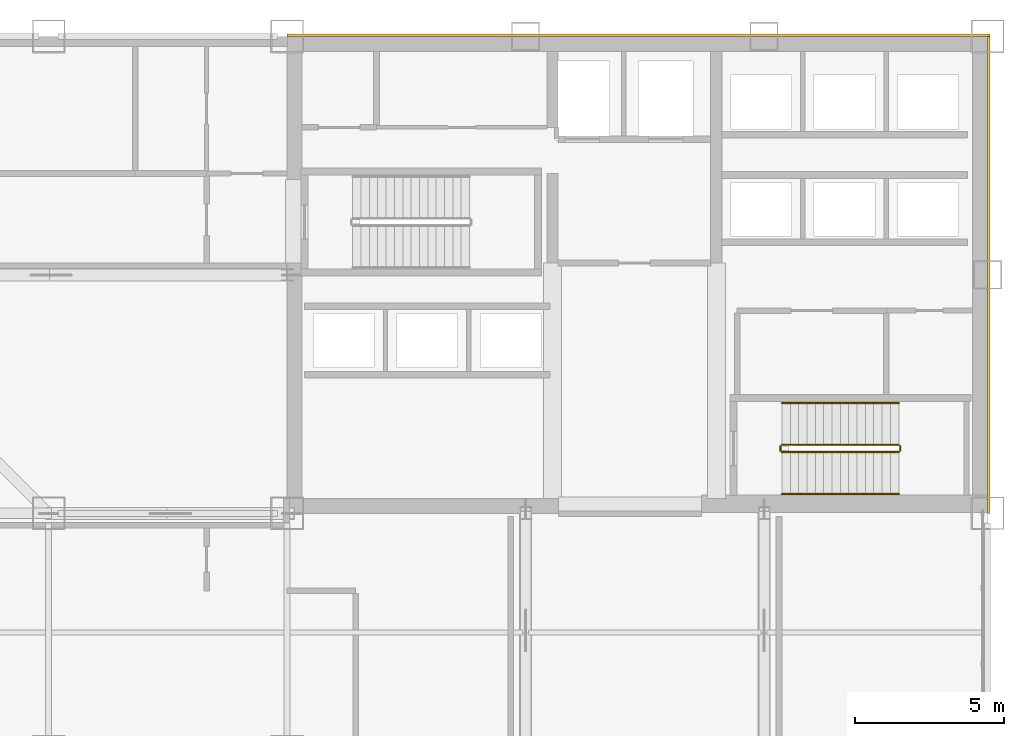
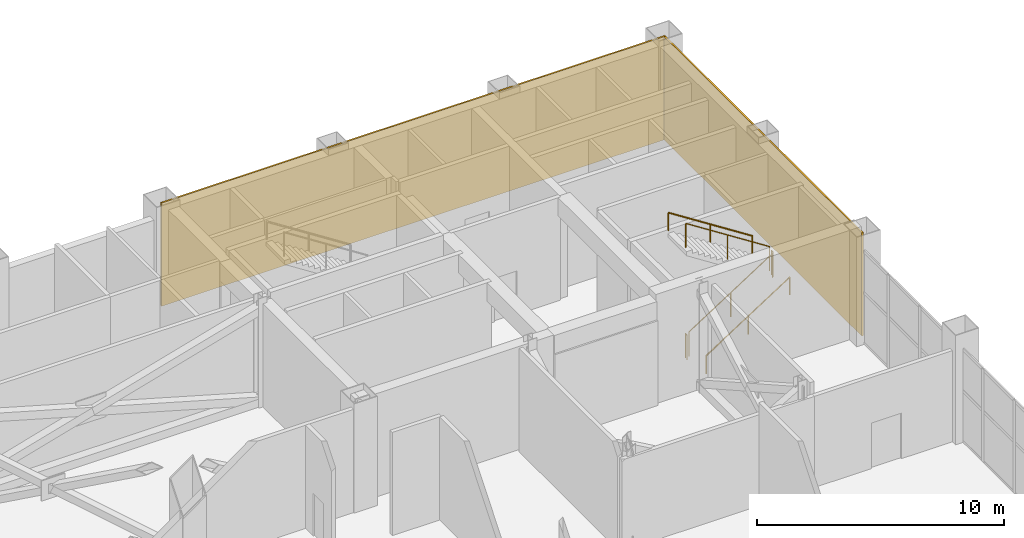
# One storey, part 24 of 24: 6 railings, 2 coverings.
"""IFC4 building model written with IfcOpenShell, lengths in metres."""

from ifc_helpers import new_model, si_unit, direction, frame, origin, origin_2d, place, context, subcontext, project, spatial, rectangle, circle, extrude, material, layer, layer_set, type_object, element, save


model = new_model("IFC4")

# Units and contexts
model_context = context("Model", 3, precision=1e-05, world=origin(), true_north=direction((0.0, 1.0)))
body_context = subcontext(model_context, "Body", "Model", "MODEL_VIEW")
ifc_project = project(units=[si_unit("LENGTHUNIT", "METRE"), si_unit("AREAUNIT", "SQUARE_METRE"), si_unit("VOLUMEUNIT", "CUBIC_METRE"), si_unit("PLANEANGLEUNIT", "RADIAN"), si_unit("MASSUNIT", "GRAM", prefix="KILO")], contexts=[model_context])

# Site, building, storey
site_placement = place(None, origin())
site = spatial("IfcSite", under=ifc_project, at=site_placement, CompositionType="ELEMENT")
building_placement = place(site_placement, origin())
building = spatial("IfcBuilding", under=site, at=building_placement, Name="Qianrong Seaharbour Tower", CompositionType="ELEMENT")
storey_placement = place(building_placement, frame((0.0, 0.0, 195.0)))
storey = spatial("IfcBuildingStorey", under=building, at=storey_placement, Name="L47", CompositionType="ELEMENT", Elevation=195.0)

# Coverings
ifc_material_1 = material(Name="Unitised red brick cladding on Precast concrete C45/55", Category="masonry")
ifc_layer = layer(ifc_material_1, 0.080078125)
ifc_layer_set = layer_set([ifc_layer], Name="Unitised red brick cladding on Precast concrete C45/55")
covering_type = type_object("IfcCoveringType", Name="COV-CLAD-RED-BRICK-80", PredefinedType="CLADDING", material=ifc_layer_set)
covering_1_placement = place(storey_placement, frame((52.2900390625, 52.0400390625, 0.0), z_axis=(0.0, 0.0, 1.0), x_axis=(1.0, 0.0, 0.0)))
element("IfcCovering", 1, at=covering_1_placement, inside=storey, type_object=covering_type, Name="L47 North Core Brick Veneer Cladding", PredefinedType="CLADDING", context=body_context, shape_type="SweptSolid", body=[
    extrude(rectangle(XDim=23.580078125, YDim=0.080078125, at=origin_2d()), origin(), (0.0, 0.0, 1.0), 5.10009765625),
])
covering_2_placement = place(storey_placement, frame((64.0400390625, 44.0, 0.0), z_axis=(0.0, 0.0, 1.0), x_axis=(1.0, 0.0, 0.0)))
element("IfcCovering", 2, at=covering_2_placement, inside=storey, type_object=covering_type, Name="L47 East Core Brick Veneer Cladding", PredefinedType="CLADDING", context=body_context, shape_type="SweptSolid", body=[
    extrude(rectangle(XDim=0.080078125, YDim=16.0, at=origin_2d()), origin(), (0.0, 0.0, 1.0), 5.10009765625),
])

# Railings
ifc_material_2 = material(Name="Galvanized painted steel SN400B stair guard", Category="steel")
railing_type_1 = type_object("IfcRailingType", Name="RAIL-STAIR-GUARD-1220", PredefinedType="GUARDRAIL", material=ifc_material_2)
railing_1_placement = place(storey_placement, frame((57.10009765625, 38.050048828125, 0.179931640625)))
element("IfcRailing", 3, at=railing_1_placement, inside=storey, type_object=railing_type_1, Name="L47 ST-2 stair guard 1", PredefinedType="GUARDRAIL", context=body_context, shape_type="SweptSolid", body=[
    extrude(circle(Radius=0.02392578125, at=origin_2d()), frame((0.0, 0.0, 1.19580078125), z_axis=(0.841171666519, 0.0, 0.540768182723), x_axis=(0.0, 1.0, 0.0)), (0.0, 0.0, 1.0), 4.66015625),
    extrude(circle(Radius=0.02099609375, at=origin_2d()), origin(), (0.0, 0.0, 1.0), 1.171875),
    extrude(circle(Radius=0.02099609375, at=origin_2d()), frame((1.9599609375, 0.0, 1.260009765625)), (0.0, 0.0, 1.0), 1.171875),
    extrude(circle(Radius=0.02099609375, at=origin_2d()), frame((3.919921875, 0.0, 2.52001953125)), (0.0, 0.0, 1.0), 1.171875),
])
railing_2_placement = place(storey_placement, frame((61.070068359375, 38.10009765625, 2.699951171875)))
element("IfcRailing", 4, at=railing_2_placement, inside=storey, type_object=railing_type_1, Name="L47 ST-2 stair guard 2", PredefinedType="GUARDRAIL", context=body_context, shape_type="SweptSolid", body=[
    extrude(circle(Radius=0.02392578125, at=origin_2d()), frame((0.0, 0.0, 1.19580078125), z_axis=(0.0, 1.0, 0.0), x_axis=(-1.0, 0.0, 0.0)), (0.0, 0.0, 1.0), 0.14990234375),
    extrude(circle(Radius=0.02099609375, at=origin_2d()), origin(), (0.0, 0.0, 1.0), 1.171875),
    extrude(circle(Radius=0.02099609375, at=origin_2d()), frame((0.0, 0.14990234375, 0.0)), (0.0, 0.0, 1.0), 1.171875),
])
railing_3_placement = place(storey_placement, frame((61.02001953125, 38.300048828125, 2.8798828125)))
element("IfcRailing", 5, at=railing_3_placement, inside=storey, type_object=railing_type_1, Name="L47 ST-2 stair guard 3", PredefinedType="GUARDRAIL", context=body_context, shape_type="SweptSolid", body=[
    extrude(circle(Radius=0.02392578125, at=origin_2d()), frame((0.0, 0.0, 1.19580078125), z_axis=(-0.841171666519, 0.0, 0.540768182723), x_axis=(0.0, -1.0, 0.0)), (0.0, 0.0, 1.0), 4.66015625),
    extrude(circle(Radius=0.02099609375, at=origin_2d()), origin(), (0.0, 0.0, 1.0), 1.171875),
    extrude(circle(Radius=0.02099609375, at=origin_2d()), frame((-1.9599609375, 0.0, 1.260009765625)), (0.0, 0.0, 1.0), 1.171875),
    extrude(circle(Radius=0.02099609375, at=origin_2d()), frame((-3.919921875, 0.0, 2.52001953125)), (0.0, 0.0, 1.0), 1.171875),
])
railing_4_placement = place(storey_placement, frame((57.050048828125, 38.10009765625, 0.0)))
element("IfcRailing", 6, at=railing_4_placement, inside=storey, type_object=railing_type_1, Name="L47 ST-2 stair guard 4", PredefinedType="GUARDRAIL", context=body_context, shape_type="SweptSolid", body=[
    extrude(circle(Radius=0.02392578125, at=origin_2d()), frame((0.0, 0.0, 1.19580078125), z_axis=(0.0, 1.0, 0.0), x_axis=(-1.0, 0.0, 0.0)), (0.0, 0.0, 1.0), 0.14990234375),
    extrude(circle(Radius=0.02099609375, at=origin_2d()), origin(), (0.0, 0.0, 1.0), 1.171875),
    extrude(circle(Radius=0.02099609375, at=origin_2d()), frame((0.0, 0.14990234375, 0.0)), (0.0, 0.0, 1.0), 1.171875),
])
ifc_material_3 = material(Name="Stainless steel SUS316L continuous handrail", Category="steel")
railing_type_2 = type_object("IfcRailingType", Name="RAIL-STAIR-HANDRAIL-900", PredefinedType="HANDRAIL", material=ifc_material_3)
railing_5_placement = place(storey_placement, frame((57.10009765625, 36.64990234375, 0.179931640625)))
element("IfcRailing", 7, at=railing_5_placement, inside=storey, type_object=railing_type_2, Name="L47 ST-2 stair handrail 1", PredefinedType="HANDRAIL", context=body_context, shape_type="SweptSolid", body=[
    extrude(circle(Radius=0.02392578125, at=origin_2d()), frame((0.0, 0.0, 0.8759765625), z_axis=(0.841171666519, 0.0, 0.540768182723), x_axis=(0.0, 1.0, 0.0)), (0.0, 0.0, 1.0), 4.66015625),
    extrude(circle(Radius=0.02099609375, at=origin_2d()), origin(), (0.0, 0.0, 1.0), 0.851806640625),
    extrude(circle(Radius=0.02099609375, at=origin_2d()), frame((1.9599609375, 0.0, 1.260009765625)), (0.0, 0.0, 1.0), 0.851806640625),
    extrude(circle(Radius=0.02099609375, at=origin_2d()), frame((3.919921875, 0.0, 2.52001953125)), (0.0, 0.0, 1.0), 0.851806640625),
])
railing_6_placement = place(storey_placement, frame((61.02001953125, 39.699951171875, 2.8798828125)))
element("IfcRailing", 8, at=railing_6_placement, inside=storey, type_object=railing_type_2, Name="L47 ST-2 stair handrail 2", PredefinedType="HANDRAIL", context=body_context, shape_type="SweptSolid", body=[
    extrude(circle(Radius=0.02392578125, at=origin_2d()), frame((0.0, 0.0, 0.8759765625), z_axis=(-0.841171666519, 0.0, 0.540768182723), x_axis=(0.0, -1.0, 0.0)), (0.0, 0.0, 1.0), 4.66015625),
    extrude(circle(Radius=0.02099609375, at=origin_2d()), origin(), (0.0, 0.0, 1.0), 0.851806640625),
    extrude(circle(Radius=0.02099609375, at=origin_2d()), frame((-1.9599609375, 0.0, 1.260009765625)), (0.0, 0.0, 1.0), 0.851806640625),
    extrude(circle(Radius=0.02099609375, at=origin_2d()), frame((-3.919921875, 0.0, 2.52001953125)), (0.0, 0.0, 1.0), 0.851806640625),
])

save(model, "model.ifc")
